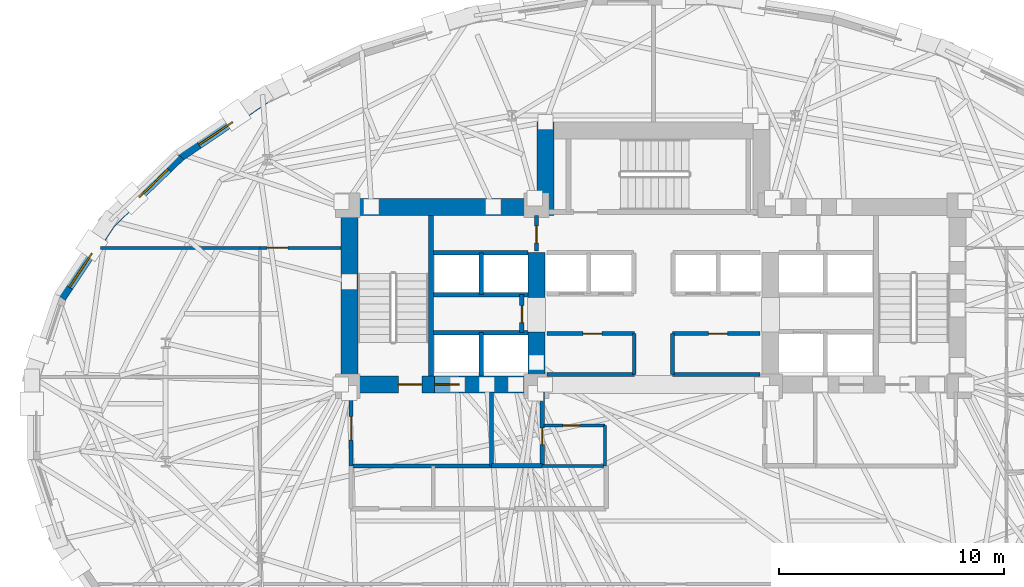
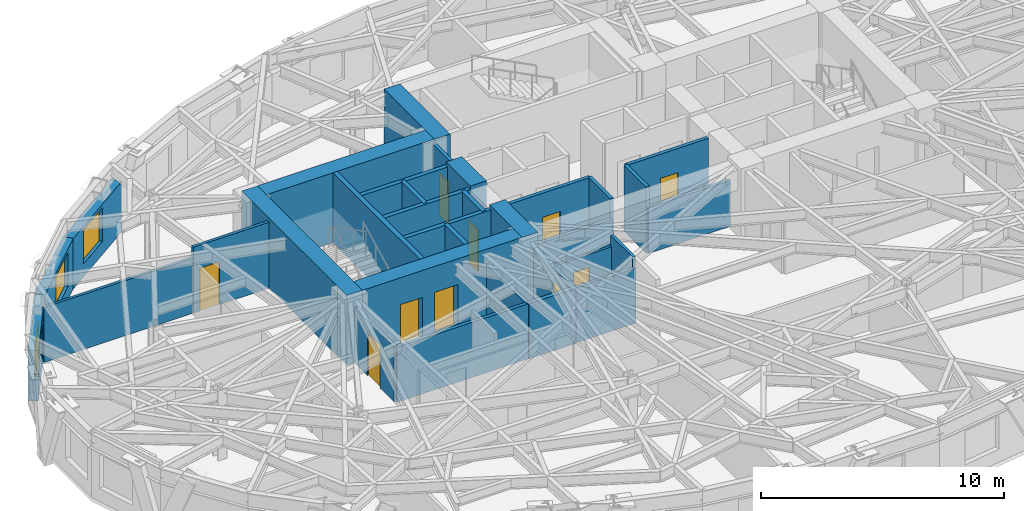
# One storey, part 7 of 14: 33 walls, 10 doors, 3 windows, 13 openings.
"""IFC4 building model written with IfcOpenShell, lengths in metres."""

from ifc_helpers import new_model, si_unit, direction, frame, frame_2d, origin, place, context, subcontext, project, spatial, rectangle, extrude, material, layer, layer_set, type_object, element, fill, save


model = new_model("IFC4")

# Units and contexts
model_context = context("Model", 3, precision=1e-05, world=origin(), true_north=direction((0.0, 1.0)))
body_context = subcontext(model_context, "Body", "Model", "MODEL_VIEW")
ifc_project = project(units=[si_unit("LENGTHUNIT", "METRE"), si_unit("AREAUNIT", "SQUARE_METRE"), si_unit("VOLUMEUNIT", "CUBIC_METRE"), si_unit("PLANEANGLEUNIT", "RADIAN"), si_unit("MASSUNIT", "GRAM", prefix="KILO")], contexts=[model_context])

# Site, building, storey
site_placement = place(None, origin())
site = spatial("IfcSite", under=ifc_project, at=site_placement, CompositionType="ELEMENT")
building_placement = place(site_placement, origin())
building = spatial("IfcBuilding", under=site, at=building_placement, Name="Keldmark Tower", CompositionType="ELEMENT")
storey_placement = place(building_placement, frame((0.0, 0.0, 103.60009765625)))
storey = spatial("IfcBuildingStorey", under=building, at=storey_placement, Name="L27", CompositionType="ELEMENT", Elevation=103.60009765625)

# Wall, opening, door
ifc_material_1 = material(Name="Acoustic Double-Layer Gypsum Corridor Partition", Category="gypsum")
ifc_layer_1 = layer(ifc_material_1, 0.139892578125)
ifc_layer_set_1 = layer_set([ifc_layer_1], Name="Acoustic Double-Layer Gypsum Corridor Partition")
wall_type_1 = type_object("IfcWallType", Name="Acoustic Corridor Partition 140 mm", PredefinedType="PARTITIONING", material=ifc_layer_set_1)
wall_1_placement = place(storey_placement, frame((-17.5, 7.550048828125, 0.0), z_axis=(0.0, 0.0, 1.0), x_axis=(1.0, 0.0, 0.0)))
wall_1 = element("IfcWall", 1, at=wall_1_placement, inside=storey, type_object=wall_type_1, Name="L27 Acoustic Corridor Partition 140 mm COR-WN-CAP", PredefinedType="PARTITIONING", context=body_context, shape_type="SweptSolid", body=[
    extrude(rectangle(XDim=3.60009765625, YDim=0.139892578125, at=frame_2d((1.800048828125, 0.0))), origin(), (0.0, 0.0, 1.0), 3.309814453125),
])
opening_1_placement = place(wall_1_placement, frame((0.320068359375, 0.0, 0.0)))
opening_1 = element("IfcOpeningElement", 2, at=opening_1_placement, cuts=wall_1, Name="Opening D-EX092", PredefinedType="OPENING", context=body_context, shape_type="SweptSolid", body=[
    extrude(rectangle(XDim=0.919921875, YDim=2.14990234375, at=frame_2d((0.4599609375, 1.074951171875))), frame((0.0, 0.079833984375, 0.0), z_axis=(0.0, -1.0, 0.0), x_axis=(1.0, 0.0, 0.0)), (0.0, 0.0, 1.0), 0.159912109375),
])
ifc_material_2 = material(Name="Flush American Ash Executive Office Door", Category="wood")
door_type_1 = type_object("IfcDoorType", Name="Executive Office Door 920x2150", OperationType="NOTDEFINED", PredefinedType="DOOR", material=ifc_material_2)
door_1_placement = place(opening_1_placement, origin())
door_1 = element("IfcDoor", 3, at=door_1_placement, inside=storey, type_object=door_type_1, Name="L27 Executive Office Door 920x2150 D-NRNW-L27", OperationType="SINGLE_SWING_LEFT", OverallHeight=2.14990234375, OverallWidth=0.919921875, PredefinedType="DOOR", context=body_context, shape_type="SweptSolid", body=[
    extrude(rectangle(XDim=0.919921875, YDim=2.14990234375, at=frame_2d((0.4599609375, 1.074951171875))), frame((0.0, 0.02490234375, 0.0), z_axis=(0.0, -1.0, 0.0), x_axis=(1.0, 0.0, 0.0)), (0.0, 0.0, 1.0), 0.050048828125),
])
fill(opening_1, door_1)

ifc_material_3 = material(Name="Acoustic Gypsum Board Interior Partition", Category="gypsum")
ifc_layer_2 = layer(ifc_material_3, 0.1298828125)
ifc_layer_set_2 = layer_set([ifc_layer_2], Name="Acoustic Gypsum Board Interior Partition")
wall_type_2 = type_object("IfcWallType", Name="Interior Partition 130 mm", PredefinedType="PARTITIONING", material=ifc_layer_set_2)
wall_2_placement = place(storey_placement, frame((-4.8798828125, -0.35009765625, 0.0), z_axis=(0.0, 0.0, 1.0), x_axis=(1.0, 0.0, 0.0)))
wall_2 = element("IfcWall", 4, at=wall_2_placement, inside=storey, type_object=wall_type_2, Name="L27 Interior Partition 130 mm CSC-W-N", PredefinedType="PARTITIONING", context=body_context, shape_type="SweptSolid", body=[
    extrude(rectangle(XDim=2.72998046875, YDim=0.1298828125, at=frame_2d((1.364990234375, 0.0))), origin(), (0.0, 0.0, 1.0), 2.762939453125),
])
opening_2_placement = place(wall_2_placement, frame((0.85009765625, 0.0, 0.0)))
opening_2 = element("IfcOpeningElement", 5, at=opening_2_placement, cuts=wall_2, Name="Opening D-CL078", PredefinedType="OPENING", context=body_context, shape_type="SweptSolid", body=[
    extrude(rectangle(XDim=0.780029296875, YDim=2.10009765625, at=frame_2d((0.39013671875, 1.050048828125))), frame((0.0, 0.074951171875, 0.0), z_axis=(0.0, -1.0, 0.0), x_axis=(1.0, 0.0, 0.0)), (0.0, 0.0, 1.0), 0.14990234375),
])
ifc_material_4 = material(Name="Flush Utility Closet Timber Door", Category="wood")
door_type_2 = type_object("IfcDoorType", Name="Closet Door 780x2100", OperationType="NOTDEFINED", PredefinedType="DOOR", material=ifc_material_4)
door_2_placement = place(opening_2_placement, origin())
door_2 = element("IfcDoor", 6, at=door_2_placement, inside=storey, type_object=door_type_2, Name="L27 Closet Door 780x2100 D-CSCW1-L27", OperationType="SINGLE_SWING_RIGHT", OverallHeight=2.10009765625, OverallWidth=0.780029296875, PredefinedType="DOOR", context=body_context, shape_type="SweptSolid", body=[
    extrude(rectangle(XDim=0.780029296875, YDim=2.10009765625, at=frame_2d((0.39013671875, 1.050048828125))), frame((0.0, 0.02490234375, 0.0), z_axis=(0.0, -1.0, 0.0), x_axis=(1.0, 0.0, 0.0)), (0.0, 0.0, 1.0), 0.050048828125),
])
fill(opening_2, door_2)

# Walls
wall_3_placement = place(storey_placement, frame((-2.14990234375, -2.14990234375, 0.0), z_axis=(0.0, 0.0, 1.0), x_axis=(0.0, 1.0, 0.0)))
element("IfcWall", 7, at=wall_3_placement, inside=storey, type_object=wall_type_2, Name="L27 Interior Partition 130 mm CSC-W-E", PredefinedType="PARTITIONING", context=body_context, shape_type="SweptSolid", body=[
    extrude(rectangle(XDim=1.7998046875, YDim=0.1298828125, at=frame_2d((0.89990234375, 0.0))), origin(), (0.0, 0.0, 1.0), 3.309814453125),
])
wall_4_placement = place(storey_placement, frame((-24.588623046875, 7.550048828125, 0.0), z_axis=(0.0, 0.0, 1.0), x_axis=(1.0, 0.0, 0.0)))
element("IfcWall", 8, at=wall_4_placement, inside=storey, type_object=wall_type_2, Name="L27 Interior Partition 130 mm W-CAP-N", PredefinedType="PARTITIONING", context=body_context, shape_type="SweptSolid", body=[
    extrude(rectangle(XDim=7.088623046875, YDim=0.1298828125, at=frame_2d((3.54443359375, 0.0))), origin(), (0.0, 0.0, 1.0), 2.762939453125),
])
ifc_material_5 = material(Name="Concrete C70/85", Category="concrete")
ifc_layer_3 = layer(ifc_material_5, 0.75)
ifc_layer_set_3 = layer_set([ifc_layer_3], Name="Concrete C70/85")
wall_type_3 = type_object("IfcWallType", Name="Low-Mid Core Shear Wall 750 mm", PredefinedType="SHEAR", material=ifc_layer_set_3)
wall_5_placement = place(storey_placement, frame((-13.52490234375, 1.10009765625, 0.0), z_axis=(0.0, 0.0, 1.0), x_axis=(0.0, 1.0, 0.0)))
element("IfcWall", 9, at=wall_5_placement, inside=storey, type_object=wall_type_3, Name="L27 West Core Outer Shear Wall", PredefinedType="SHEAR", context=body_context, shape_type="SweptSolid", body=[
    extrude(rectangle(XDim=8.64990234375, YDim=0.75, at=frame_2d((4.324951171875, 0.0))), origin(), (0.0, 0.0, 1.0), 3.5),
])
wall_6_placement = place(storey_placement, frame((-13.89990234375, 9.375, 0.0), z_axis=(0.0, 0.0, 1.0), x_axis=(1.0, 0.0, 0.0)))
element("IfcWall", 10, at=wall_6_placement, inside=storey, type_object=wall_type_3, Name="L27 West Core North Shear Wall", PredefinedType="SHEAR", context=body_context, shape_type="SweptSolid", body=[
    extrude(rectangle(XDim=9.474853515625, YDim=0.75, at=frame_2d((4.7373046875, 0.0))), origin(), (0.0, 0.0, 1.0), 3.5),
])

# Wall, openings, doors
wall_7_placement = place(storey_placement, frame((-4.824951171875, 1.47509765625, 0.0), z_axis=(0.0, 0.0, 1.0), x_axis=(-1.0, 0.0, 0.0)))
wall_7 = element("IfcWall", 11, at=wall_7_placement, inside=storey, type_object=wall_type_3, Name="L27 West Core South Shear Wall", PredefinedType="SHEAR", context=body_context, shape_type="SweptSolid", body=[
    extrude(rectangle(XDim=9.074951171875, YDim=0.75, at=frame_2d((4.53759765625, 0.0))), origin(), (0.0, 0.0, 1.0), 3.5),
])
opening_3_placement = place(wall_7_placement, frame((5.47509765625, 0.0, 0.0)))
opening_3 = element("IfcOpeningElement", 12, at=opening_3_placement, cuts=wall_7, Name="Opening D-ST105", PredefinedType="OPENING", context=body_context, shape_type="SweptSolid", body=[
    extrude(rectangle(XDim=1.050048828125, YDim=2.14990234375, at=frame_2d((0.52490234375, 1.074951171875))), frame((0.0, 0.385009765625, 0.0), z_axis=(0.0, -1.0, 0.0), x_axis=(1.0, 0.0, 0.0)), (0.0, 0.0, 1.0), 0.77001953125),
])
opening_4_placement = place(wall_7_placement, frame((3.804931640625, 0.0, 0.0)))
opening_4 = element("IfcOpeningElement", 13, at=opening_4_placement, cuts=wall_7, Name="Opening LD-110", PredefinedType="OPENING", context=body_context, shape_type="SweptSolid", body=[
    extrude(rectangle(XDim=1.10009765625, YDim=2.199951171875, at=frame_2d((0.550048828125, 1.10009765625))), frame((0.0, 0.385009765625, 0.0), z_axis=(0.0, -1.0, 0.0), x_axis=(1.0, 0.0, 0.0)), (0.0, 0.0, 1.0), 0.77001953125),
])
ifc_material_6 = material(Name="Brushed Bronze Hoistway Sliding Leaf", Category="metal")
door_type_3 = type_object("IfcDoorType", Name="Lift Landing Sliding Door 1100x2200", OperationType="SLIDING_TO_LEFT", PredefinedType="DOOR", material=ifc_material_6)
door_3_placement = place(opening_4_placement, origin())
door_3 = element("IfcDoor", 14, at=door_3_placement, inside=storey, type_object=door_type_3, Name="L27 Lift Landing Sliding Door 1100x2200 LD-EL-FS1-L27", OperationType="SLIDING_TO_LEFT", OverallHeight=2.199951171875, OverallWidth=1.10009765625, PredefinedType="DOOR", context=body_context, shape_type="SweptSolid", body=[
    extrude(rectangle(XDim=1.10009765625, YDim=2.199951171875, at=frame_2d((0.550048828125, 1.10009765625))), frame((0.0, 0.02490234375, 0.0), z_axis=(0.0, -1.0, 0.0), x_axis=(1.0, 0.0, 0.0)), (0.0, 0.0, 1.0), 0.050048828125),
])
fill(opening_4, door_3)
ifc_material_7 = material(Name="Hollow Metal Fire-Rated Door Assembly", Category="metal")
door_type_4 = type_object("IfcDoorType", Name="Stair Fire Door 1050x2150", OperationType="NOTDEFINED", PredefinedType="DOOR", material=ifc_material_7)
door_4_placement = place(opening_3_placement, origin())
door_4 = element("IfcDoor", 15, at=door_4_placement, inside=storey, type_object=door_type_4, Name="L27 Stair Fire Door 1050x2150 D-ST1-L27", OperationType="SINGLE_SWING_RIGHT", OverallHeight=2.14990234375, OverallWidth=1.050048828125, PredefinedType="DOOR", context=body_context, shape_type="SweptSolid", body=[
    extrude(rectangle(XDim=1.050048828125, YDim=2.14990234375, at=frame_2d((0.52490234375, 1.074951171875))), frame((0.0, 0.02490234375, 0.0), z_axis=(0.0, -1.0, 0.0), x_axis=(1.0, 0.0, 0.0)), (0.0, 0.0, 1.0), 0.050048828125),
])
fill(opening_3, door_4)

# Walls
wall_8_placement = place(storey_placement, frame((-5.199951171875, 1.10009765625, 0.0), z_axis=(0.0, 0.0, 1.0), x_axis=(0.0, 1.0, 0.0)))
element("IfcWall", 16, at=wall_8_placement, inside=storey, type_object=wall_type_3, Name="L27 West Core Inner Shear Pier South", PredefinedType="SHEAR", context=body_context, shape_type="SweptSolid", body=[
    extrude(rectangle(XDim=2.699951171875, YDim=0.75, at=frame_2d((1.35009765625, 0.0))), origin(), (0.0, 0.0, 1.0), 3.5),
])
wall_9_placement = place(storey_placement, frame((-5.199951171875, 5.35009765625, 0.0), z_axis=(0.0, 0.0, 1.0), x_axis=(0.0, 1.0, 0.0)))
element("IfcWall", 17, at=wall_9_placement, inside=storey, type_object=wall_type_3, Name="L27 West Core Inner Shear Pier North", PredefinedType="SHEAR", context=body_context, shape_type="SweptSolid", body=[
    extrude(rectangle(XDim=2.0, YDim=0.75, at=frame_2d((1.0, 0.0))), origin(), (0.0, 0.0, 1.0), 3.5),
])
wall_10_placement = place(storey_placement, frame((-4.800048828125, 9.0, 0.0), z_axis=(0.0, 0.0, 1.0), x_axis=(0.0, 1.0, 0.0)))
element("IfcWall", 18, at=wall_10_placement, inside=storey, type_object=wall_type_3, Name="L27 North Core West Shear Wall", PredefinedType="SHEAR", context=body_context, shape_type="SweptSolid", body=[
    extrude(rectangle(XDim=4.14990234375, YDim=0.75, at=frame_2d((2.074951171875, 0.0))), origin(), (0.0, 0.0, 1.0), 3.5),
])
ifc_material_8 = material(Name="Type X Fire-Rated Gypsum Partition Assembly", Category="gypsum")
ifc_layer_4 = layer(ifc_material_8, 0.1650390625)
ifc_layer_set_4 = layer_set([ifc_layer_4], Name="Type X Fire-Rated Gypsum Partition Assembly")
wall_type_4 = type_object("IfcWallType", Name="Rated Partition 165 mm", PredefinedType="PARTITIONING", material=ifc_layer_set_4)
wall_11_placement = place(storey_placement, frame((-13.449951171875, -2.14990234375, 0.0), z_axis=(0.0, 0.0, 1.0), x_axis=(1.0, 0.0, 0.0)))
element("IfcWall", 19, at=wall_11_placement, inside=storey, type_object=wall_type_4, Name="L27 Rated Partition 165 mm FSAE-W-S", PredefinedType="PARTITIONING", context=body_context, shape_type="SweptSolid", body=[
    extrude(rectangle(XDim=6.25, YDim=0.1650390625, at=frame_2d((3.125, 0.0))), origin(), (0.0, 0.0, 1.0), 2.762939453125),
])

# Wall, opening, door
wall_12_placement = place(storey_placement, frame((-13.449951171875, -2.14990234375, 0.0), z_axis=(0.0, 0.0, 1.0), x_axis=(0.0, 1.0, 0.0)))
wall_12 = element("IfcWall", 20, at=wall_12_placement, inside=storey, type_object=wall_type_4, Name="L27 Rated Partition 165 mm FSAE-W-W", PredefinedType="PARTITIONING", context=body_context, shape_type="SweptSolid", body=[
    extrude(rectangle(XDim=3.2998046875, YDim=0.1650390625, at=frame_2d((1.64990234375, 0.0))), origin(), (0.0, 0.0, 1.0), 2.762939453125),
])
opening_5_placement = place(wall_12_placement, frame((1.14990234375, 0.0, 0.0)))
opening_5 = element("IfcOpeningElement", 21, at=opening_5_placement, cuts=wall_12, Name="Opening D-FL105", PredefinedType="OPENING", context=body_context, shape_type="SweptSolid", body=[
    extrude(rectangle(XDim=1.050048828125, YDim=2.14990234375, at=frame_2d((0.52490234375, 1.074951171875))), frame((0.0, 0.092529296875, 0.0), z_axis=(0.0, -1.0, 0.0), x_axis=(1.0, 0.0, 0.0)), (0.0, 0.0, 1.0), 0.18505859375),
])
ifc_material_9 = material(Name="Fire-Rated Mineral-Core Door and Vision Lite", Category="metal")
door_type_5 = type_object("IfcDoorType", Name="Fire Lobby Door 1050x2150", OperationType="NOTDEFINED", PredefinedType="DOOR", material=ifc_material_9)
door_5_placement = place(opening_5_placement, origin())
door_5 = element("IfcDoor", 22, at=door_5_placement, inside=storey, type_object=door_type_5, Name="L27 Fire Lobby Door 1050x2150 D-FSAEW-OUT-L27", OperationType="SINGLE_SWING_LEFT", OverallHeight=2.14990234375, OverallWidth=1.050048828125, PredefinedType="DOOR", context=body_context, shape_type="SweptSolid", body=[
    extrude(rectangle(XDim=1.050048828125, YDim=2.14990234375, at=frame_2d((0.52490234375, 1.074951171875))), frame((0.0, 0.02490234375, 0.0), z_axis=(0.0, -1.0, 0.0), x_axis=(1.0, 0.0, 0.0)), (0.0, 0.0, 1.0), 0.050048828125),
])
fill(opening_5, door_5)

# Walls
wall_13_placement = place(storey_placement, frame((-7.199951171875, -2.14990234375, 0.0), z_axis=(0.0, 0.0, 1.0), x_axis=(0.0, 1.0, 0.0)))
element("IfcWall", 23, at=wall_13_placement, inside=storey, type_object=wall_type_4, Name="L27 Rated Partition 165 mm FSAE-W-E", PredefinedType="PARTITIONING", context=body_context, shape_type="SweptSolid", body=[
    extrude(rectangle(XDim=3.2998046875, YDim=0.1650390625, at=frame_2d((1.64990234375, 0.0))), origin(), (0.0, 0.0, 1.0), 2.762939453125),
])
wall_14_placement = place(storey_placement, frame((-4.739990234375, 1.919921875, 0.0), z_axis=(0.0, 0.0, 1.0), x_axis=(1.0, 0.0, 0.0)))
element("IfcWall", 24, at=wall_14_placement, inside=storey, type_object=wall_type_4, Name="L27 Rated Partition 165 mm REC-LW-S", PredefinedType="PARTITIONING", context=body_context, shape_type="SweptSolid", body=[
    extrude(rectangle(XDim=3.889892578125, YDim=0.1650390625, at=frame_2d((1.94482421875, 0.0))), origin(), (0.0, 0.0, 1.0), 2.2998046875),
])

# Wall, opening, door
wall_15_placement = place(storey_placement, frame((-4.739990234375, 3.739990234375, 0.0), z_axis=(0.0, 0.0, 1.0), x_axis=(1.0, 0.0, 0.0)))
wall_15 = element("IfcWall", 25, at=wall_15_placement, inside=storey, type_object=wall_type_4, Name="L27 Rated Partition 165 mm REC-LW-N", PredefinedType="PARTITIONING", context=body_context, shape_type="SweptSolid", body=[
    extrude(rectangle(XDim=3.889892578125, YDim=0.1650390625, at=frame_2d((1.94482421875, 0.0))), origin(), (0.0, 0.0, 1.0), 3.309814453125),
])
opening_6_placement = place(wall_15_placement, frame((1.60009765625, 0.0, 0.0)))
opening_6 = element("IfcOpeningElement", 26, at=opening_6_placement, cuts=wall_15, Name="Opening D-SV085", PredefinedType="OPENING", context=body_context, shape_type="SweptSolid", body=[
    extrude(rectangle(XDim=0.85009765625, YDim=2.10009765625, at=frame_2d((0.425048828125, 1.050048828125))), frame((0.0, 0.092529296875, 0.0), z_axis=(0.0, -1.0, 0.0), x_axis=(1.0, 0.0, 0.0)), (0.0, 0.0, 1.0), 0.18505859375),
])
ifc_material_10 = material(Name="Painted Hollow Metal Door Assembly", Category="metal")
door_type_6 = type_object("IfcDoorType", Name="Service Door 850x2100", OperationType="NOTDEFINED", PredefinedType="DOOR", material=ifc_material_10)
door_6_placement = place(opening_6_placement, origin())
door_6 = element("IfcDoor", 27, at=door_6_placement, inside=storey, type_object=door_type_6, Name="L27 Service Door 850x2100 D-RECLW1-L27", OperationType="SINGLE_SWING_LEFT", OverallHeight=2.10009765625, OverallWidth=0.85009765625, PredefinedType="DOOR", context=body_context, shape_type="SweptSolid", body=[
    extrude(rectangle(XDim=0.85009765625, YDim=2.10009765625, at=frame_2d((0.425048828125, 1.050048828125))), frame((0.0, 0.02490234375, 0.0), z_axis=(0.0, -1.0, 0.0), x_axis=(1.0, 0.0, 0.0)), (0.0, 0.0, 1.0), 0.050048828125),
])
fill(opening_6, door_6)

# Walls
wall_16_placement = place(storey_placement, frame((-0.85009765625, 1.919921875, 0.0), z_axis=(0.0, 0.0, 1.0), x_axis=(0.0, 1.0, 0.0)))
element("IfcWall", 28, at=wall_16_placement, inside=storey, type_object=wall_type_4, Name="L27 Rated Partition 165 mm REC-LW-E", PredefinedType="PARTITIONING", context=body_context, shape_type="SweptSolid", body=[
    extrude(rectangle(XDim=1.820068359375, YDim=0.1650390625, at=frame_2d((0.91015625, 0.0))), origin(), (0.0, 0.0, 1.0), 3.309814453125),
])
wall_17_placement = place(storey_placement, frame((0.85009765625, 1.919921875, 0.0), z_axis=(0.0, 0.0, 1.0), x_axis=(1.0, 0.0, 0.0)))
element("IfcWall", 29, at=wall_17_placement, inside=storey, type_object=wall_type_4, Name="L27 Rated Partition 165 mm REC-LE-S", PredefinedType="PARTITIONING", context=body_context, shape_type="SweptSolid", body=[
    extrude(rectangle(XDim=3.889892578125, YDim=0.1650390625, at=frame_2d((1.94482421875, 0.0))), origin(), (0.0, 0.0, 1.0), 2.2998046875),
])

# Wall, opening, door
wall_18_placement = place(storey_placement, frame((0.85009765625, 3.739990234375, 0.0), z_axis=(0.0, 0.0, 1.0), x_axis=(1.0, 0.0, 0.0)))
wall_18 = element("IfcWall", 30, at=wall_18_placement, inside=storey, type_object=wall_type_4, Name="L27 Rated Partition 165 mm REC-LE-N", PredefinedType="PARTITIONING", context=body_context, shape_type="SweptSolid", body=[
    extrude(rectangle(XDim=3.889892578125, YDim=0.1650390625, at=frame_2d((1.94482421875, 0.0))), origin(), (0.0, 0.0, 1.0), 3.309814453125),
])
opening_7_placement = place(wall_18_placement, frame((1.60009765625, 0.0, 0.0)))
opening_7 = element("IfcOpeningElement", 31, at=opening_7_placement, cuts=wall_18, Name="Opening D-SV085", PredefinedType="OPENING", context=body_context, shape_type="SweptSolid", body=[
    extrude(rectangle(XDim=0.85009765625, YDim=2.10009765625, at=frame_2d((0.425048828125, 1.050048828125))), frame((0.0, 0.092529296875, 0.0), z_axis=(0.0, -1.0, 0.0), x_axis=(1.0, 0.0, 0.0)), (0.0, 0.0, 1.0), 0.18505859375),
])
door_7_placement = place(opening_7_placement, origin())
door_7 = element("IfcDoor", 32, at=door_7_placement, inside=storey, type_object=door_type_6, Name="L27 Service Door 850x2100 D-RECLE1-L27", OperationType="SINGLE_SWING_RIGHT", OverallHeight=2.10009765625, OverallWidth=0.85009765625, PredefinedType="DOOR", context=body_context, shape_type="SweptSolid", body=[
    extrude(rectangle(XDim=0.85009765625, YDim=2.10009765625, at=frame_2d((0.425048828125, 1.050048828125))), frame((0.0, 0.02490234375, 0.0), z_axis=(0.0, -1.0, 0.0), x_axis=(1.0, 0.0, 0.0)), (0.0, 0.0, 1.0), 0.050048828125),
])
fill(opening_7, door_7)

# Wall
wall_19_placement = place(storey_placement, frame((0.85009765625, 1.919921875, 0.0), z_axis=(0.0, 0.0, 1.0), x_axis=(0.0, 1.0, 0.0)))
element("IfcWall", 33, at=wall_19_placement, inside=storey, type_object=wall_type_4, Name="L27 Rated Partition 165 mm REC-LE-W", PredefinedType="PARTITIONING", context=body_context, shape_type="SweptSolid", body=[
    extrude(rectangle(XDim=1.820068359375, YDim=0.1650390625, at=frame_2d((0.91015625, 0.0))), origin(), (0.0, 0.0, 1.0), 3.309814453125),
])

# Wall, opening, door
wall_20_placement = place(storey_placement, frame((-5.199951171875, 7.419921875, 0.0), z_axis=(0.0, 0.0, 1.0), x_axis=(0.0, 1.0, 0.0)))
wall_20 = element("IfcWall", 34, at=wall_20_placement, inside=storey, type_object=wall_type_4, Name="L27 Rated Partition 165 mm CS-NW-E", PredefinedType="PARTITIONING", context=body_context, shape_type="SweptSolid", body=[
    extrude(rectangle(XDim=1.580078125, YDim=0.1650390625, at=frame_2d((0.7900390625, 0.0))), origin(), (0.0, 0.0, 1.0), 3.309814453125),
])
opening_8_placement = place(wall_20_placement, frame((0.35009765625, 0.0, 0.0)))
opening_8 = element("IfcOpeningElement", 35, at=opening_8_placement, cuts=wall_20, Name="Opening D-RS075", PredefinedType="OPENING", context=body_context, shape_type="SweptSolid", body=[
    extrude(rectangle(XDim=0.75, YDim=2.10009765625, at=frame_2d((0.375, 1.050048828125))), frame((0.0, 0.092529296875, 0.0), z_axis=(0.0, -1.0, 0.0), x_axis=(1.0, 0.0, 0.0)), (0.0, 0.0, 1.0), 0.18505859375),
])
ifc_material_11 = material(Name="Galvanized Fire-Rated Access Leaf", Category="metal")
door_type_7 = type_object("IfcDoorType", Name="Riser Access Door 750x2100", OperationType="NOTDEFINED", PredefinedType="DOOR", material=ifc_material_11)
door_8_placement = place(opening_8_placement, origin())
door_8 = element("IfcDoor", 36, at=door_8_placement, inside=storey, type_object=door_type_7, Name="L27 Riser Access Door 750x2100 D-CSNW1-L27", OperationType="SINGLE_SWING_LEFT", OverallHeight=2.10009765625, OverallWidth=0.75, PredefinedType="DOOR", context=body_context, shape_type="SweptSolid", body=[
    extrude(rectangle(XDim=0.75, YDim=2.10009765625, at=frame_2d((0.375, 1.050048828125))), frame((0.0, 0.02490234375, 0.0), z_axis=(0.0, -1.0, 0.0), x_axis=(1.0, 0.0, 0.0)), (0.0, 0.0, 1.0), 0.050048828125),
])
fill(opening_8, door_8)

# Wall
ifc_material_12 = material(Name="Fire-Resistant Type X Gypsum Shaftliner Coreboard", Category="gypsum")
ifc_layer_5 = layer(ifc_material_12, 0.199951171875)
ifc_layer_set_5 = layer_set([ifc_layer_5], Name="Fire-Resistant Type X Gypsum Shaftliner Coreboard")
wall_type_5 = type_object("IfcWallType", Name="Shaft Wall 200 mm", PredefinedType="SOLIDWALL", material=ifc_layer_set_5)
wall_21_placement = place(storey_placement, frame((-7.199951171875, -2.14990234375, 0.0), z_axis=(0.0, 0.0, 1.0), x_axis=(1.0, 0.0, 0.0)))
element("IfcWall", 37, at=wall_21_placement, inside=storey, type_object=wall_type_5, Name="L27 Shaft Wall 200 mm RIS-SW-S", PredefinedType="SOLIDWALL", context=body_context, shape_type="SweptSolid", body=[
    extrude(rectangle(XDim=2.25, YDim=0.199951171875, at=frame_2d((1.125, 0.0))), origin(), (0.0, 0.0, 1.0), 2.762939453125),
])

# Wall, opening, door
wall_22_placement = place(storey_placement, frame((-4.949951171875, -2.14990234375, 0.0), z_axis=(0.0, 0.0, 1.0), x_axis=(0.0, 1.0, 0.0)))
wall_22 = element("IfcWall", 38, at=wall_22_placement, inside=storey, type_object=wall_type_5, Name="L27 Shaft Wall 200 mm RIS-SW-E", PredefinedType="SOLIDWALL", context=body_context, shape_type="SweptSolid", body=[
    extrude(rectangle(XDim=3.2998046875, YDim=0.199951171875, at=frame_2d((1.64990234375, 0.0))), origin(), (0.0, 0.0, 1.0), 2.762939453125),
])
opening_9_placement = place(wall_22_placement, frame((0.949951171875, 0.0, 0.0)))
opening_9 = element("IfcOpeningElement", 39, at=opening_9_placement, cuts=wall_22, Name="Opening D-RS075", PredefinedType="OPENING", context=body_context, shape_type="SweptSolid", body=[
    extrude(rectangle(XDim=0.75, YDim=2.10009765625, at=frame_2d((0.375, 1.050048828125))), frame((0.0, 0.10986328125, 0.0), z_axis=(0.0, -1.0, 0.0), x_axis=(1.0, 0.0, 0.0)), (0.0, 0.0, 1.0), 0.219970703125),
])
door_9_placement = place(opening_9_placement, origin())
door_9 = element("IfcDoor", 40, at=door_9_placement, inside=storey, type_object=door_type_7, Name="L27 Riser Access Door 750x2100 D-RISSW-L27", OperationType="SINGLE_SWING_RIGHT", OverallHeight=2.10009765625, OverallWidth=0.75, PredefinedType="DOOR", context=body_context, shape_type="SweptSolid", body=[
    extrude(rectangle(XDim=0.75, YDim=2.10009765625, at=frame_2d((0.375, 1.050048828125))), frame((0.0, 0.02490234375, 0.0), z_axis=(0.0, -1.0, 0.0), x_axis=(1.0, 0.0, 0.0)), (0.0, 0.0, 1.0), 0.050048828125),
])
fill(opening_9, door_9)

# Walls
wall_23_placement = place(storey_placement, frame((-9.780029296875, 3.780029296875, 0.0), z_axis=(0.0, 0.0, 1.0), x_axis=(1.0, 0.0, 0.0)))
element("IfcWall", 41, at=wall_23_placement, inside=storey, type_object=wall_type_5, Name="L27 Shaft Wall 200 mm HW-W-S", PredefinedType="SOLIDWALL", context=body_context, shape_type="SweptSolid", body=[
    extrude(rectangle(XDim=4.205078125, YDim=0.199951171875, at=frame_2d((2.1025390625, 0.0))), origin(), (0.0, 0.0, 1.0), 3.309814453125),
])
wall_24_placement = place(storey_placement, frame((-7.64990234375, 1.85009765625, 0.0), z_axis=(0.0, 0.0, 1.0), x_axis=(0.0, 1.0, 0.0)))
element("IfcWall", 42, at=wall_24_placement, inside=storey, type_object=wall_type_5, Name="L27 Shaft Wall 200 mm HW-W-M", PredefinedType="SOLIDWALL", context=body_context, shape_type="SweptSolid", body=[
    extrude(rectangle(XDim=1.929931640625, YDim=0.199951171875, at=frame_2d((0.96484375, 0.0))), origin(), (0.0, 0.0, 1.0), 3.309814453125),
])
for number, where, z_axis, x_axis, name in (
    (43, (-9.780029296875, 5.469970703125, 0.0), (0.0, 0.0, 1.0), (1.0, 0.0, 0.0), "L27 Shaft Wall 200 mm HW-W-N"),
    (44, (-9.780029296875, 7.330078125, 0.0), (0.0, 0.0, 1.0), (1.0, 0.0, 0.0), "L27 Shaft Wall 200 mm HW-W-TOP"),
):
    element("IfcWall", number, at=place(storey_placement, frame(where, z_axis=z_axis, x_axis=x_axis)), inside=storey, type_object=wall_type_5, Name=name, PredefinedType="SOLIDWALL", context=body_context, shape_type="SweptSolid", body=[
        extrude(rectangle(XDim=4.205078125, YDim=0.199951171875, at=frame_2d((2.1025390625, 0.0))), origin(), (0.0, 0.0, 1.0), 3.309814453125),
    ])
wall_25_placement = place(storey_placement, frame((-7.64990234375, 5.469970703125, 0.0), z_axis=(0.0, 0.0, 1.0), x_axis=(0.0, 1.0, 0.0)))
element("IfcWall", 45, at=wall_25_placement, inside=storey, type_object=wall_type_5, Name="L27 Shaft Wall 200 mm HW-W-NM", PredefinedType="SOLIDWALL", context=body_context, shape_type="SweptSolid", body=[
    extrude(rectangle(XDim=1.860107421875, YDim=0.199951171875, at=frame_2d((0.93017578125, 0.0))), origin(), (0.0, 0.0, 1.0), 3.309814453125),
])

# Wall, opening, door
wall_26_placement = place(storey_placement, frame((-5.85009765625, 3.780029296875, 0.0), z_axis=(0.0, 0.0, 1.0), x_axis=(0.0, 1.0, 0.0)))
wall_26 = element("IfcWall", 46, at=wall_26_placement, inside=storey, type_object=wall_type_5, Name="L27 Shaft Wall 200 mm HW-W-CLOSE", PredefinedType="SOLIDWALL", context=body_context, shape_type="SweptSolid", body=[
    extrude(rectangle(XDim=1.68994140625, YDim=0.199951171875, at=frame_2d((0.844970703125, 0.0))), origin(), (0.0, 0.0, 1.0), 3.309814453125),
])
opening_10_placement = place(wall_26_placement, frame((0.449951171875, 0.0, 0.0)))
opening_10 = element("IfcOpeningElement", 47, at=opening_10_placement, cuts=wall_26, Name="Opening D-RS075", PredefinedType="OPENING", context=body_context, shape_type="SweptSolid", body=[
    extrude(rectangle(XDim=0.75, YDim=2.10009765625, at=frame_2d((0.375, 1.050048828125))), frame((0.0, 0.10986328125, 0.0), z_axis=(0.0, -1.0, 0.0), x_axis=(1.0, 0.0, 0.0)), (0.0, 0.0, 1.0), 0.219970703125),
])
door_10_placement = place(opening_10_placement, origin())
door_10 = element("IfcDoor", 48, at=door_10_placement, inside=storey, type_object=door_type_7, Name="L27 Riser Access Door 750x2100 D-RISHW-L27", OperationType="SINGLE_SWING_RIGHT", OverallHeight=2.10009765625, OverallWidth=0.75, PredefinedType="DOOR", context=body_context, shape_type="SweptSolid", body=[
    extrude(rectangle(XDim=0.75, YDim=2.10009765625, at=frame_2d((0.375, 1.050048828125))), frame((0.0, 0.02490234375, 0.0), z_axis=(0.0, -1.0, 0.0), x_axis=(1.0, 0.0, 0.0)), (0.0, 0.0, 1.0), 0.050048828125),
])
fill(opening_10, door_10)

# Wall
ifc_material_13 = material(Name="Concrete C50/60", Category="concrete")
ifc_layer_6 = layer(ifc_material_13, 0.219970703125)
ifc_layer_set_6 = layer_set([ifc_layer_6], Name="Concrete C50/60")
wall_type_6 = type_object("IfcWallType", Name="Stair Core Shear Wall 220 mm", PredefinedType="SHEAR", material=ifc_layer_set_6)
wall_27_placement = place(storey_placement, frame((-9.889892578125, 1.85009765625, 0.0), z_axis=(0.0, 0.0, 1.0), x_axis=(0.0, 1.0, 0.0)))
element("IfcWall", 49, at=wall_27_placement, inside=storey, type_object=wall_type_6, Name="L27 West Stair Core Shear Wall", PredefinedType="SHEAR", context=body_context, shape_type="SweptSolid", body=[
    extrude(rectangle(XDim=7.14990234375, YDim=0.219970703125, at=frame_2d((3.574951171875, 0.0))), origin(), (0.0, 0.0, 1.0), 3.5),
])

# Wall, opening, window
ifc_material_14 = material(Name="Ironspot Manganese Brick and Kasota Buff Limestone Spandrel Assembly", Category="masonry")
ifc_layer_7 = layer(ifc_material_14, 0.43994140625)
ifc_layer_set_7 = layer_set([ifc_layer_7], Name="Ironspot Manganese Brick and Kasota Buff Limestone Spandrel Assembly")
wall_type_7 = type_object("IfcWallType", Name="Tower Brick Pier and Spandrel Wall 440 mm", PredefinedType="STANDARD", material=ifc_layer_set_7)
wall_28_placement = place(storey_placement, frame((-21.066162109375, 11.6064453125, 0.0), z_axis=(0.0, 0.0, 1.0), x_axis=(0.827754551165, 0.56109036975, 0.0)))
wall_28 = element("IfcWall", 50, at=wall_28_placement, inside=storey, type_object=wall_type_7, Name="L27 Exterior Brick and Spandrel Wall 12", PredefinedType="STANDARD", context=body_context, shape_type="SweptSolid", body=[
    extrude(rectangle(XDim=4.590576171875, YDim=0.43994140625, at=frame_2d((2.29541015625, 0.0))), origin(), (0.0, 0.0, 1.0), 2.52783203125),
])
opening_11_placement = place(wall_28_placement, frame((0.996826171875, 0.0, 0.64990234375)))
opening_11 = element("IfcOpeningElement", 51, at=opening_11_placement, cuts=wall_28, Name="Opening W-02", PredefinedType="OPENING", context=body_context, shape_type="SweptSolid", body=[
    extrude(rectangle(XDim=1.800048828125, YDim=1.699951171875, at=frame_2d((0.89990234375, 0.85009765625))), frame((0.0, 0.22998046875, 0.0), z_axis=(0.0, -1.0, 0.0), x_axis=(1.0, 0.0, 0.0)), (0.0, 0.0, 1.0), 0.4599609375),
])
ifc_material_15 = material(Name="Thermally Broken Anodized Aluminum and Triple Low-E Argon Glazing", Category="aluminium")
window_type = type_object("IfcWindowType", Name="Office Deep-Set Triple Window 1800x1700", PartitioningType="TRIPLE_PANEL_VERTICAL", PredefinedType="WINDOW", material=ifc_material_15)
window_1_placement = place(opening_11_placement, origin())
window_1 = element("IfcWindow", 52, at=window_1_placement, inside=storey, type_object=window_type, Name="L27 Deep-Set Window 12", OverallHeight=1.699951171875, OverallWidth=1.800048828125, PartitioningType="SINGLE_PANEL", PredefinedType="WINDOW", context=body_context, shape_type="SweptSolid", body=[
    extrude(rectangle(XDim=1.800048828125, YDim=1.699951171875, at=frame_2d((0.89990234375, 0.85009765625))), frame((0.0, -0.010009765625, 0.0), z_axis=(0.0, -1.0, 0.0), x_axis=(1.0, 0.0, 0.0)), (0.0, 0.0, 1.0), 0.06005859375),
])
fill(opening_11, window_1)

wall_29_placement = place(storey_placement, frame((-24.140380859375, 8.643798828125, 0.0), z_axis=(0.0, 0.0, 1.0), x_axis=(0.720581378362, 0.693370375166, 0.0)))
wall_29 = element("IfcWall", 53, at=wall_29_placement, inside=storey, type_object=wall_type_7, Name="L27 Exterior Brick and Spandrel Wall 13", PredefinedType="STANDARD", context=body_context, shape_type="SweptSolid", body=[
    extrude(rectangle(XDim=4.306640625, YDim=0.43994140625, at=frame_2d((2.1533203125, 0.0))), origin(), (0.0, 0.0, 1.0), 2.52783203125),
])
opening_12_placement = place(wall_29_placement, frame((1.71875, 0.0, 0.64990234375)))
opening_12 = element("IfcOpeningElement", 54, at=opening_12_placement, cuts=wall_29, Name="Opening W-02", PredefinedType="OPENING", context=body_context, shape_type="SweptSolid", body=[
    extrude(rectangle(XDim=1.800048828125, YDim=1.699951171875, at=frame_2d((0.89990234375, 0.85009765625))), frame((0.0, 0.22998046875, 0.0), z_axis=(0.0, -1.0, 0.0), x_axis=(1.0, 0.0, 0.0)), (0.0, 0.0, 1.0), 0.4599609375),
])
window_2_placement = place(opening_12_placement, origin())
window_2 = element("IfcWindow", 55, at=window_2_placement, inside=storey, type_object=window_type, Name="L27 Deep-Set Window 13", OverallHeight=1.699951171875, OverallWidth=1.800048828125, PartitioningType="SINGLE_PANEL", PredefinedType="WINDOW", context=body_context, shape_type="SweptSolid", body=[
    extrude(rectangle(XDim=1.800048828125, YDim=1.699951171875, at=frame_2d((0.89990234375, 0.85009765625))), frame((0.0, -0.010009765625, 0.0), z_axis=(0.0, -1.0, 0.0), x_axis=(1.0, 0.0, 0.0)), (0.0, 0.0, 1.0), 0.06005859375),
])
fill(opening_12, window_2)

wall_30_placement = place(storey_placement, frame((-26.339599609375, 5.332275390625, 0.0), z_axis=(0.0, 0.0, 1.0), x_axis=(0.554293965046, 0.83232097193, 0.0)))
wall_30 = element("IfcWall", 56, at=wall_30_placement, inside=storey, type_object=wall_type_7, Name="L27 Exterior Brick and Spandrel Wall 14", PredefinedType="STANDARD", context=body_context, shape_type="SweptSolid", body=[
    extrude(rectangle(XDim=4.022705078125, YDim=0.43994140625, at=frame_2d((2.01123046875, 0.0))), origin(), (0.0, 0.0, 1.0), 2.52783203125),
])
opening_13_placement = place(wall_30_placement, frame((0.593994140625, 0.0, 0.64990234375)))
opening_13 = element("IfcOpeningElement", 57, at=opening_13_placement, cuts=wall_30, Name="Opening W-02", PredefinedType="OPENING", context=body_context, shape_type="SweptSolid", body=[
    extrude(rectangle(XDim=1.800048828125, YDim=1.699951171875, at=frame_2d((0.89990234375, 0.85009765625))), frame((0.0, 0.22998046875, 0.0), z_axis=(0.0, -1.0, 0.0), x_axis=(1.0, 0.0, 0.0)), (0.0, 0.0, 1.0), 0.4599609375),
])
window_3_placement = place(opening_13_placement, origin())
window_3 = element("IfcWindow", 58, at=window_3_placement, inside=storey, type_object=window_type, Name="L27 Deep-Set Window 14", OverallHeight=1.699951171875, OverallWidth=1.800048828125, PartitioningType="SINGLE_PANEL", PredefinedType="WINDOW", context=body_context, shape_type="SweptSolid", body=[
    extrude(rectangle(XDim=1.800048828125, YDim=1.699951171875, at=frame_2d((0.89990234375, 0.85009765625))), frame((0.0, -0.010009765625, 0.0), z_axis=(0.0, -1.0, 0.0), x_axis=(1.0, 0.0, 0.0)), (0.0, 0.0, 1.0), 0.06005859375),
])
fill(opening_13, window_3)

# Wall
ifc_material_16 = material(Name="Moisture-Resistant Gypsum Plumbing Partition", Category="gypsum")
ifc_layer_8 = layer(ifc_material_16, 0.14990234375)
ifc_layer_set_8 = layer_set([ifc_layer_8], Name="Moisture-Resistant Gypsum Plumbing Partition")
wall_type_8 = type_object("IfcWallType", Name="Wet Wall 150 mm", PredefinedType="PLUMBINGWALL", material=ifc_layer_set_8)
wall_31_placement = place(storey_placement, frame((-4.949951171875, -2.14990234375, 0.0), z_axis=(0.0, 0.0, 1.0), x_axis=(1.0, 0.0, 0.0)))
element("IfcWall", 59, at=wall_31_placement, inside=storey, type_object=wall_type_8, Name="L27 Wet Wall 150 mm SPK-W-N", PredefinedType="PLUMBINGWALL", context=body_context, shape_type="SweptSolid", body=[
    extrude(rectangle(XDim=2.849853515625, YDim=0.14990234375, at=frame_2d((1.4248046875, 0.0))), origin(), (0.0, 0.0, 1.0), 2.762939453125),
])

save(model, "model.ifc")
